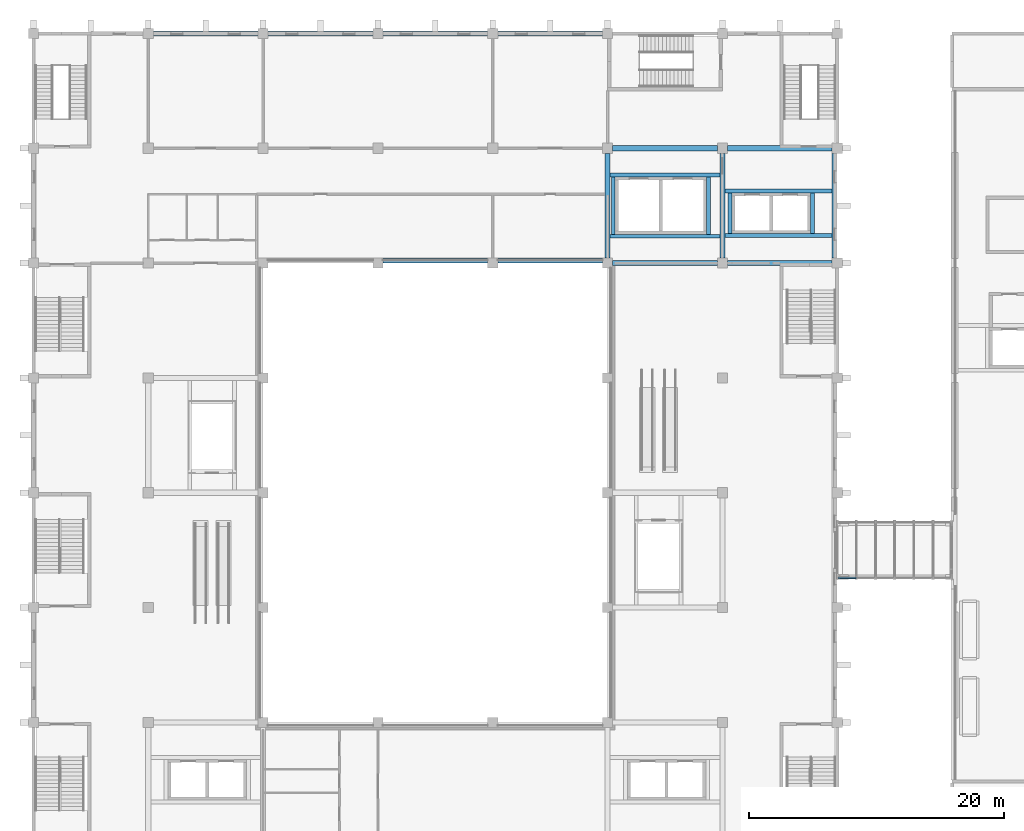
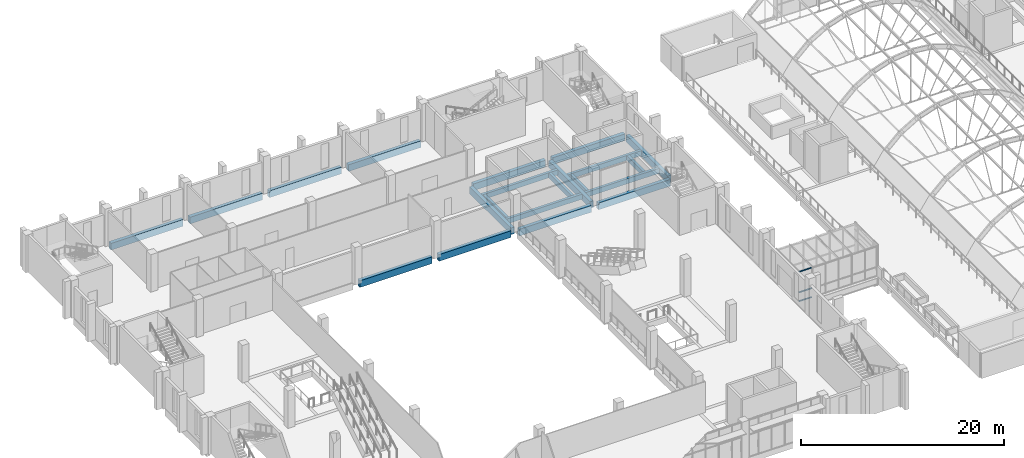
# One storey, part 17 of 79: 21 beams, 3 members, 1 element without a shape of its own.
"""IFC4 building model written with IfcOpenShell, lengths in metres."""

from ifc_helpers import new_model, si_unit, direction, frame, origin, origin_2d, place, context, subcontext, project, spatial, rectangle, extrude, material, layer, layer_set, material_profile, profile_set, type_object, element, aggregate, save


model = new_model("IFC4")

# Units and contexts
model_context = context("Model", 3, precision=1e-05, world=origin(), true_north=direction((0.0, 1.0)))
body_context = subcontext(model_context, "Body", "Model", "MODEL_VIEW")
ifc_project = project(units=[si_unit("LENGTHUNIT", "METRE"), si_unit("AREAUNIT", "SQUARE_METRE"), si_unit("VOLUMEUNIT", "CUBIC_METRE"), si_unit("PLANEANGLEUNIT", "RADIAN"), si_unit("MASSUNIT", "GRAM", prefix="KILO")], contexts=[model_context])

# Site, building, storey
site_placement = place(None, origin())
site = spatial("IfcSite", under=ifc_project, at=site_placement, CompositionType="ELEMENT")
building_placement = place(site_placement, origin())
building = spatial("IfcBuilding", under=site, at=building_placement, Name="Guidao Yard Department Store", CompositionType="ELEMENT")
storey_placement = place(building_placement, frame((0.0, 0.0, 15.0)))
storey = spatial("IfcBuildingStorey", under=building, at=storey_placement, Name="L03", CompositionType="ELEMENT", Elevation=15.0)

# Beams
ifc_material_1 = material(Name="Concrete C40", Category="concrete")
ifc_material_profile_1 = material_profile(ifc_material_1, rectangle(XDim=0.39990234375, YDim=0.800048828125, at=origin_2d()), Name="Edge beam 400 x 800 C40")
ifc_profile_set_1 = profile_set([ifc_material_profile_1], Name="Concrete C40")
beam_type_1 = type_object("IfcBeamType", Name="Edge beam 400 x 800 C40", PredefinedType="BEAM", material=ifc_profile_set_1)
for number, where, z_axis, x_axis, name in (
    (1, (27.39990234375, 90.199951171875, -0.39990234375), (1.0, 0.0, 0.0), (0.0, 1.0, 0.0), "Beam EB28"),
    (2, (36.39990234375, 90.199951171875, -0.39990234375), (1.0, 0.0, 0.0), (0.0, 1.0, 0.0), "Beam EB29"),
    (3, (45.39990234375, 90.0, -0.39990234375), (1.0, 0.0, 0.0), (0.0, 1.0, 0.0), "Beam EB42"),
    (4, (45.39990234375, 99.0, -0.39990234375), (1.0, 0.0, 0.0), (0.0, 1.0, 0.0), "Beam EB43"),
    (5, (45.0, 90.39990234375, -0.39990234375), (0.0, 1.0, 0.0), (-1.0, 0.0, 0.0), "Beam EB44"),
    (6, (54.0, 90.39990234375, -0.39990234375), (0.0, 1.0, 0.0), (-1.0, 0.0, 0.0), "Beam EB45"),
    (7, (54.39990234375, 90.0, -0.39990234375), (1.0, 0.0, 0.0), (0.0, 1.0, 0.0), "Beam EB46"),
    (8, (54.39990234375, 99.0, -0.39990234375), (1.0, 0.0, 0.0), (0.0, 1.0, 0.0), "Beam EB47"),
):
    element("IfcBeam", number, at=place(storey_placement, frame(where, z_axis=z_axis, x_axis=x_axis)), inside=storey, type_object=beam_type_1, Name=name, PredefinedType="BEAM", context=body_context, shape_type="SweptSolid", body=[
        extrude(rectangle(XDim=0.39990234375, YDim=0.800048828125, at=origin_2d()), origin(), (0.0, 0.0, 1.0), 8.2001953125),
    ])
ifc_material_2 = material(Name="Concrete C40", Category="concrete")
ifc_material_profile_2 = material_profile(ifc_material_2, rectangle(XDim=0.300048828125, YDim=0.60009765625, at=origin_2d()), Name="Opening beam 300 x 600 C40")
ifc_profile_set_2 = profile_set([ifc_material_profile_2], Name="Concrete C40")
beam_type_2 = type_object("IfcBeamType", Name="Opening beam 300 x 600 C40", PredefinedType="BEAM", material=ifc_profile_set_2)
for number, where, z_axis, x_axis, name in (
    (9, (45.199951171875, 92.10009765625, -0.300048828125), (1.0, 0.0, 0.0), (0.0, 1.0, 0.0), "Beam OB17"),
    (10, (45.199951171875, 96.89990234375, -0.300048828125), (1.0, 0.0, 0.0), (0.0, 1.0, 0.0), "Beam OB18"),
):
    element("IfcBeam", number, at=place(storey_placement, frame(where, z_axis=z_axis, x_axis=x_axis)), inside=storey, type_object=beam_type_2, Name=name, PredefinedType="BEAM", context=body_context, shape_type="SweptSolid", body=[
        extrude(rectangle(XDim=0.300048828125, YDim=0.60009765625, at=origin_2d()), origin(), (0.0, 0.0, 1.0), 8.60009765625),
    ])
for number, where, z_axis, x_axis, name in (
    (11, (45.449951171875, 92.25, -0.300048828125), (0.0, 1.0, 0.0), (-1.0, 0.0, 0.0), "Beam OB19"),
    (12, (52.89990234375, 92.25, -0.300048828125), (0.0, 1.0, 0.0), (-1.0, 0.0, 0.0), "Beam OB20"),
):
    element("IfcBeam", number, at=place(storey_placement, frame(where, z_axis=z_axis, x_axis=x_axis)), inside=storey, type_object=beam_type_2, Name=name, PredefinedType="BEAM", context=body_context, shape_type="SweptSolid", body=[
        extrude(rectangle(XDim=0.300048828125, YDim=0.60009765625, at=origin_2d()), origin(), (0.0, 0.0, 1.0), 4.5),
    ])
for number, where, z_axis, x_axis, name in (
    (13, (54.199951171875, 92.14990234375, -0.300048828125), (1.0, 0.0, 0.0), (0.0, 1.0, 0.0), "Beam OB21"),
    (14, (54.199951171875, 95.64990234375, -0.300048828125), (1.0, 0.0, 0.0), (0.0, 1.0, 0.0), "Beam OB22"),
):
    element("IfcBeam", number, at=place(storey_placement, frame(where, z_axis=z_axis, x_axis=x_axis)), inside=storey, type_object=beam_type_2, Name=name, PredefinedType="BEAM", context=body_context, shape_type="SweptSolid", body=[
        extrude(rectangle(XDim=0.300048828125, YDim=0.60009765625, at=origin_2d()), origin(), (0.0, 0.0, 1.0), 8.400146484375),
    ])
for number, where, z_axis, x_axis, name in (
    (15, (54.60009765625, 92.300048828125, -0.300048828125), (0.0, 1.0, 0.0), (-1.0, 0.0, 0.0), "Beam OB23"),
    (16, (61.050048828125, 92.300048828125, -0.300048828125), (0.0, 1.0, 0.0), (-1.0, 0.0, 0.0), "Beam OB24"),
):
    element("IfcBeam", number, at=place(storey_placement, frame(where, z_axis=z_axis, x_axis=x_axis)), inside=storey, type_object=beam_type_2, Name=name, PredefinedType="BEAM", context=body_context, shape_type="SweptSolid", body=[
        extrude(rectangle(XDim=0.300048828125, YDim=0.60009765625, at=origin_2d()), origin(), (0.0, 0.0, 1.0), 3.199951171875),
    ])
ifc_material_3 = material(Name="Concrete C40", Category="concrete")
ifc_material_profile_3 = material_profile(ifc_material_3, rectangle(XDim=0.39990234375, YDim=0.800048828125, at=origin_2d()), Name="Spandrel beam 400 x 800 C40")
ifc_profile_set_3 = profile_set([ifc_material_profile_3], Name="Concrete C40")
beam_type_3 = type_object("IfcBeamType", Name="Spandrel beam 400 x 800 C40", PredefinedType="SPANDREL", material=ifc_profile_set_3)
for number, where, z_axis, x_axis, name in (
    (17, (9.39990234375, 108.0, -0.39990234375), (1.0, 0.0, 0.0), (0.0, 1.0, 0.0), "Beam EB09"),
    (18, (18.39990234375, 108.0, -0.39990234375), (1.0, 0.0, 0.0), (0.0, 1.0, 0.0), "Beam EB10"),
    (19, (27.39990234375, 108.0, -0.39990234375), (1.0, 0.0, 0.0), (0.0, 1.0, 0.0), "Beam EB11"),
    (20, (36.39990234375, 108.0, -0.39990234375), (1.0, 0.0, 0.0), (0.0, 1.0, 0.0), "Beam EB12"),
    (21, (62.800048828125, 90.39990234375, -0.39990234375), (0.0, 1.0, 0.0), (-1.0, 0.0, 0.0), "Beam EB13"),
):
    element("IfcBeam", number, at=place(storey_placement, frame(where, z_axis=z_axis, x_axis=x_axis)), inside=storey, type_object=beam_type_3, Name=name, PredefinedType="SPANDREL", context=body_context, shape_type="SweptSolid", body=[
        extrude(rectangle(XDim=0.39990234375, YDim=0.800048828125, at=origin_2d()), origin(), (0.0, 0.0, 1.0), 8.2001953125),
    ])

# Curtain wall, members
ifc_material_4 = material(Name="Aluminium and glass", Category="aluminium")
ifc_layer = layer(ifc_material_4, 0.159912109375)
ifc_layer_set = layer_set([ifc_layer], Name="Bridge glazing CW5 1500 module")
curtain_wall_type = type_object("IfcCurtainWallType", Name="Bridge glazing CW5 1500 module", PredefinedType="NOTDEFINED", material=ifc_layer_set)
curtain_wall_placement = place(storey_placement, origin())
curtain_wall = element("IfcCurtainWall", 22, at=curtain_wall_placement, inside=storey, type_object=curtain_wall_type, Name="Bridge glazing BR05 S", PredefinedType="NOTDEFINED")
ifc_material_5 = material(Name="Aluminium 6063-T5", Category="aluminium")
ifc_material_profile_4 = material_profile(ifc_material_5, rectangle(XDim=0.1201171875, YDim=0.06005859375, at=origin_2d()), Name="Transom T1 60 x 120 aluminium pressure plate")
ifc_profile_set_4 = profile_set([ifc_material_profile_4], Name="Aluminium 6063-T5")
member_type = type_object("IfcMemberType", Name="Transom T1 60 x 120 aluminium pressure plate", PredefinedType="USERDEFINED", material=ifc_profile_set_4)
member_1_placement = place(storey_placement, frame((64.485107421875, 65.330078125, 0.030029296875), z_axis=(-1.0, 0.0, 0.0), x_axis=(0.0, -1.0, 0.0)))
member_1 = element("IfcMember", 23, at=member_1_placement, type_object=member_type, Name="CW-S-L03-01 transom 1.1", ObjectType="TRANSOM", PredefinedType="USERDEFINED", context=body_context, shape_type="SweptSolid", body=[
    extrude(rectangle(XDim=0.1201171875, YDim=0.06005859375, at=origin_2d()), origin(), (0.0, 0.0, 1.0), 1.41015625),
])
member_2_placement = place(storey_placement, frame((64.485107421875, 65.330078125, 1.10009765625), z_axis=(-1.0, 0.0, 0.0), x_axis=(0.0, -1.0, 0.0)))
member_2 = element("IfcMember", 24, at=member_2_placement, type_object=member_type, Name="CW-S-L03-01 transom 1.2", ObjectType="TRANSOM", PredefinedType="USERDEFINED", context=body_context, shape_type="SweptSolid", body=[
    extrude(rectangle(XDim=0.1201171875, YDim=0.06005859375, at=origin_2d()), origin(), (0.0, 0.0, 1.0), 1.41015625),
])
member_3_placement = place(storey_placement, frame((64.485107421875, 65.330078125, 3.570068359375), z_axis=(-1.0, 0.0, 0.0), x_axis=(0.0, -1.0, 0.0)))
member_3 = element("IfcMember", 25, at=member_3_placement, type_object=member_type, Name="CW-S-L03-01 transom 1.3", ObjectType="TRANSOM", PredefinedType="USERDEFINED", context=body_context, shape_type="SweptSolid", body=[
    extrude(rectangle(XDim=0.1201171875, YDim=0.06005859375, at=origin_2d()), origin(), (0.0, 0.0, 1.0), 1.41015625),
])
aggregate(curtain_wall, [member_1, member_2, member_3])

save(model, "model.ifc")
